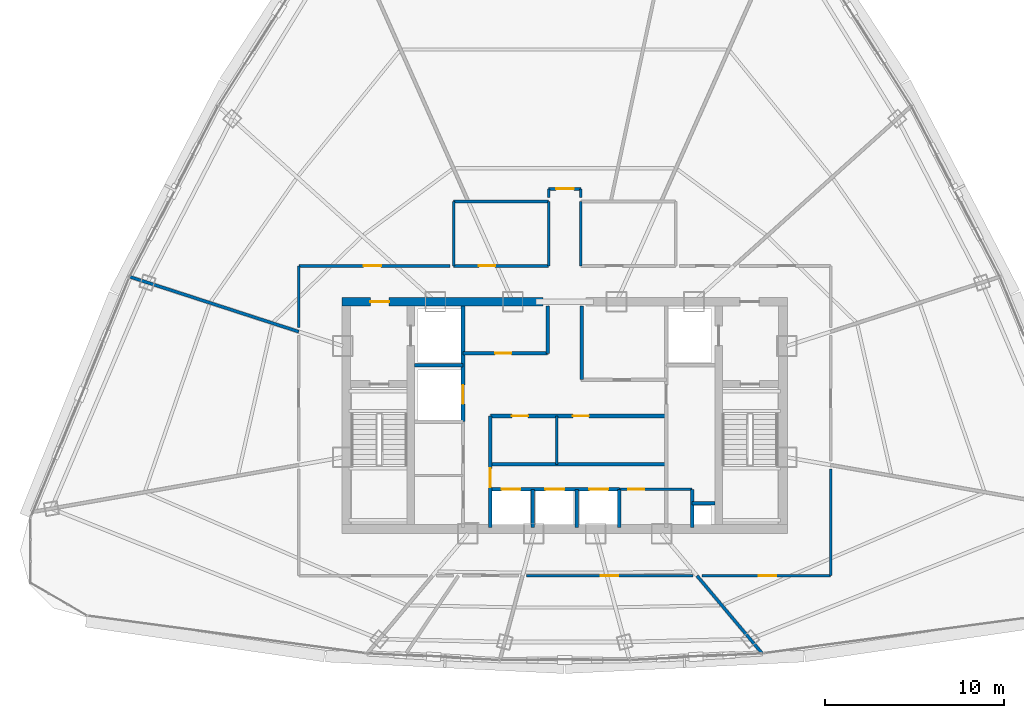
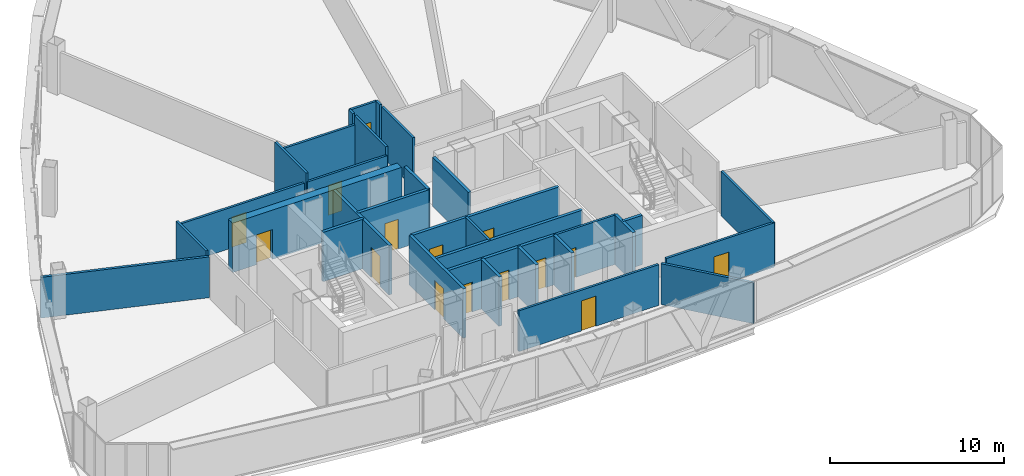
# One storey, part 29 of 33: 32 walls, 15 doors, 15 openings.
"""IFC4 building model written with IfcOpenShell, lengths in metres."""

from ifc_helpers import new_model, si_unit, direction, frame, frame_2d, origin, origin_with_axes, place, context, subcontext, project, spatial, rectangle, extrude, source, transform, mapped, material, layer, layer_set, type_object, element, fill, save


model = new_model("IFC4")

# Units and contexts
model_context = context("Model", 3, precision=1e-05, world=origin(), true_north=direction((0.0, 1.0)))
body_context = subcontext(model_context, "Body", "Model", "MODEL_VIEW")
ifc_project = project(units=[si_unit("LENGTHUNIT", "METRE"), si_unit("AREAUNIT", "SQUARE_METRE"), si_unit("VOLUMEUNIT", "CUBIC_METRE"), si_unit("PLANEANGLEUNIT", "RADIAN"), si_unit("MASSUNIT", "GRAM", prefix="KILO"), si_unit("THERMODYNAMICTEMPERATUREUNIT", "KELVIN"), si_unit("POWERUNIT", "WATT")], contexts=[model_context])

# Site, building, storey
site_placement = place(None, origin())
site = spatial("IfcSite", under=ifc_project, at=site_placement, CompositionType="ELEMENT")
building_placement = place(site_placement, origin())
building = spatial("IfcBuilding", under=site, at=building_placement, Name="Yunzhuo Pagoda Commons", CompositionType="ELEMENT")
storey_placement = place(building_placement, frame((0.0, 0.0, 311.1298828125)))
storey = spatial("IfcBuildingStorey", under=building, at=storey_placement, Name="L78", CompositionType="ELEMENT", Elevation=311.1298828125)

# Wall, opening, door
ifc_material_1 = material(Name="Concrete C50", Category="concrete")
ifc_layer_1 = layer(ifc_material_1, 0.5)
ifc_layer_set_1 = layer_set([ifc_layer_1], Name="Concrete C50")
wall_type_1 = type_object("IfcWallType", Name="W-C03 Upper Core Shear Wall 500", PredefinedType="SHEAR", material=ifc_layer_set_1)
wall_1_placement = place(storey_placement, frame((35.550048828125, 40.199951171875, 0.0), z_axis=(0.0, 0.0, 1.0), x_axis=(1.0, 0.0, 0.0)))
wall_1 = element("IfcWall", 1, at=wall_1_placement, inside=storey, type_object=wall_type_1, Name="L78 core shear wall NW", PredefinedType="SHEAR", context=body_context, shape_type="SweptSolid", body=[
    extrude(rectangle(XDim=11.25, YDim=0.5, at=frame_2d((5.625, 0.0))), origin(), (0.0, 0.0, 1.0), 3.47021484375),
])
opening_1_placement = place(wall_1_placement, frame((1.60009765625, 0.0, 0.0)))
opening_1 = element("IfcOpeningElement", 2, at=opening_1_placement, cuts=wall_1, Name="Opening D-02", PredefinedType="OPENING", context=body_context, shape_type="SweptSolid", body=[
    extrude(rectangle(XDim=1.050048828125, YDim=2.10009765625, at=frame_2d((0.52490234375, 1.050048828125))), frame((0.0, 0.260009765625, 0.0), z_axis=(0.0, -1.0, 0.0), x_axis=(1.0, 0.0, 0.0)), (0.0, 0.0, 1.0), 0.52001953125),
])
ifc_material_2 = material(Name="Galvanized fire-resisting metal leaf")
door_type_1 = type_object("IfcDoorType", Name="D-02 Firefighting Lobby & Refuge Fire Door 1050x2100", OperationType="NOTDEFINED", PredefinedType="DOOR", material=ifc_material_2)
shared_shape_1 = source(origin(), body_context, "Body", "SweptSolid", [
    extrude(rectangle(XDim=1.050048828125, YDim=2.10009765625, at=frame_2d((0.52490234375, 1.050048828125))), frame((0.0, 0.02490234375, 0.0), z_axis=(0.0, -1.0, 0.0), x_axis=(1.0, 0.0, 0.0)), (0.0, 0.0, 1.0), 0.050048828125),
])
door_1_placement = place(opening_1_placement, frame((1.050048828125, 0.0, 0.0), z_axis=(0.0, 0.0, 1.0), x_axis=(-1.0, 0.0, 0.0)))
door_1 = element("IfcDoor", 3, at=door_1_placement, inside=storey, type_object=door_type_1, Name="L78 Firefighting Lobby 1 fire door", OperationType="SINGLE_SWING_LEFT", OverallHeight=2.10009765625, OverallWidth=1.050048828125, PredefinedType="DOOR", context=body_context, shape_type="MappedRepresentation", body=[
    mapped(shared_shape_1, transform((0.0, 0.0, 0.0), scale=1.0)),
])
fill(opening_1, door_1)

# Wall
ifc_material_3 = material(Name="Gypsum plasterboard on acoustic stud")
ifc_layer_2 = layer(ifc_material_3, 0.14990234375)
ifc_layer_set_2 = layer_set([ifc_layer_2], Name="Gypsum plasterboard on acoustic stud")
wall_type_2 = type_object("IfcWallType", Name="W-COR3 High-Zone Rated Corridor Wall 150", PredefinedType="PARTITIONING", material=ifc_layer_set_2)
wall_2_placement = place(storey_placement, frame((47.550048828125, 31.1201171875, 0.0), z_axis=(0.0, 0.0, 1.0), x_axis=(0.0, 1.0, 0.0)))
element("IfcWall", 4, at=wall_2_placement, inside=storey, type_object=wall_type_2, Name="L78 interior wall IW-L78-FRMD", PredefinedType="PARTITIONING", context=body_context, shape_type="SweptSolid", body=[
    extrude(rectangle(XDim=2.699951171875, YDim=0.14990234375, at=frame_2d((1.35009765625, 0.0))), origin(), (0.0, 0.0, 1.0), 3.47021484375),
])

# Wall, opening, door
wall_3_placement = place(storey_placement, frame((51.050048828125, 29.719970703125, 0.0), z_axis=(0.0, 0.0, 1.0), x_axis=(1.0, 0.0, 0.0)))
wall_3 = element("IfcWall", 5, at=wall_3_placement, inside=storey, type_object=wall_type_2, Name="L78 interior wall IW-L78-CSES", PredefinedType="PARTITIONING", context=body_context, shape_type="SweptSolid", body=[
    extrude(rectangle(XDim=4.070068359375, YDim=0.14990234375, at=frame_2d((2.03515625, 0.0))), origin(), (0.0, 0.0, 1.0), 3.47021484375),
])
opening_2_placement = place(wall_3_placement, frame((0.5, 0.0, 0.0)))
opening_2 = element("IfcOpeningElement", 6, at=opening_2_placement, cuts=wall_3, Name="Opening D-03", PredefinedType="OPENING", context=body_context, shape_type="SweptSolid", body=[
    extrude(rectangle(XDim=0.89990234375, YDim=2.10009765625, at=frame_2d((0.449951171875, 1.050048828125))), frame((0.0, 0.0849609375, 0.0), z_axis=(0.0, -1.0, 0.0), x_axis=(1.0, 0.0, 0.0)), (0.0, 0.0, 1.0), 0.169921875),
])
door_type_2 = type_object("IfcDoorType", Name="D-03 Core Service Fire Door 900x2100", OperationType="NOTDEFINED", PredefinedType="DOOR", material=ifc_material_2)
shared_shape_2 = source(origin(), body_context, "Body", "SweptSolid", [
    extrude(rectangle(XDim=0.89990234375, YDim=2.10009765625, at=frame_2d((0.449951171875, 1.050048828125))), frame((0.0, 0.02490234375, 0.0), z_axis=(0.0, -1.0, 0.0), x_axis=(1.0, 0.0, 0.0)), (0.0, 0.0, 1.0), 0.050048828125),
])
door_2_placement = place(opening_2_placement, origin_with_axes())
door_2 = element("IfcDoor", 7, at=door_2_placement, inside=storey, type_object=door_type_2, Name="L78 IT closet door", OperationType="SINGLE_SWING_LEFT", OverallHeight=2.10009765625, OverallWidth=0.89990234375, PredefinedType="DOOR", context=body_context, shape_type="MappedRepresentation", body=[
    mapped(shared_shape_2, transform((0.0, 0.0, 0.0), scale=1.0)),
])
fill(opening_2, door_2)

wall_4_placement = place(storey_placement, frame((41.800048828125, 42.199951171875, 0.0), z_axis=(0.0, 0.0, 1.0), x_axis=(1.0, 0.0, 0.0)))
wall_4 = element("IfcWall", 8, at=wall_4_placement, inside=storey, type_object=wall_type_2, Name="L78 interior wall IW-L78-TFWS", PredefinedType="PARTITIONING", context=body_context, shape_type="SweptSolid", body=[
    extrude(rectangle(XDim=5.300048828125, YDim=0.14990234375, at=frame_2d((2.64990234375, 0.0))), origin(), (0.0, 0.0, 1.0), 2.8701171875),
])
opening_3_placement = place(wall_4_placement, frame((1.39990234375, 0.0, 0.0)))
opening_3 = element("IfcOpeningElement", 9, at=opening_3_placement, cuts=wall_4, Name="Opening D-04", PredefinedType="OPENING", context=body_context, shape_type="SweptSolid", body=[
    extrude(rectangle(XDim=0.919921875, YDim=2.10009765625, at=frame_2d((0.4599609375, 1.050048828125))), frame((0.0, 0.0849609375, 0.0), z_axis=(0.0, -1.0, 0.0), x_axis=(1.0, 0.0, 0.0)), (0.0, 0.0, 1.0), 0.169921875),
])
ifc_material_4 = material(Name="Powder-coated aluminium and timber acoustic leaf", Category="wood")
door_type_3 = type_object("IfcDoorType", Name="D-04 Bedroom & Study Interior Door 920x2100", OperationType="NOTDEFINED", PredefinedType="DOOR", material=ifc_material_4)
shared_shape_3 = source(origin(), body_context, "Body", "SweptSolid", [
    extrude(rectangle(XDim=0.919921875, YDim=2.10009765625, at=frame_2d((0.4599609375, 1.050048828125))), frame((0.0, 0.02490234375, 0.0), z_axis=(0.0, -1.0, 0.0), x_axis=(1.0, 0.0, 0.0)), (0.0, 0.0, 1.0), 0.050048828125),
])
door_3_placement = place(opening_3_placement, frame((0.919921875, 0.0, 0.0), z_axis=(0.0, 0.0, 1.0), x_axis=(-1.0, 0.0, 0.0)))
door_3 = element("IfcDoor", 10, at=door_3_placement, inside=storey, type_object=door_type_3, Name="L78 laundry door", OperationType="SINGLE_SWING_LEFT", OverallHeight=2.10009765625, OverallWidth=0.919921875, PredefinedType="DOOR", context=body_context, shape_type="MappedRepresentation", body=[
    mapped(shared_shape_3, transform((0.0, 0.0, 0.0), scale=1.0)),
])
fill(opening_3, door_3)

# Walls
wall_5_placement = place(storey_placement, frame((41.800048828125, 45.800048828125, 0.0), z_axis=(0.0, 0.0, 1.0), x_axis=(1.0, 0.0, 0.0)))
element("IfcWall", 11, at=wall_5_placement, inside=storey, type_object=wall_type_2, Name="L78 interior wall IW-L78-TFWN", PredefinedType="PARTITIONING", context=body_context, shape_type="SweptSolid", body=[
    extrude(rectangle(XDim=5.300048828125, YDim=0.14990234375, at=frame_2d((2.64990234375, 0.0))), origin(), (0.0, 0.0, 1.0), 2.8701171875),
])
for number, where, z_axis, x_axis, name in (
    (12, (41.800048828125, 42.199951171875, 0.0), (0.0, 0.0, 1.0), (0.0, 1.0, 0.0), "L78 interior wall IW-L78-TFWW"),
    (13, (47.10009765625, 42.199951171875, 0.0), (0.0, 0.0, 1.0), (0.0, 1.0, 0.0), "L78 interior wall IW-L78-TFWE"),
    (14, (48.89990234375, 42.199951171875, 0.0), (0.0, 0.0, 1.0), (0.0, 1.0, 0.0), "L78 interior wall IW-L78-TFEW"),
):
    element("IfcWall", number, at=place(storey_placement, frame(where, z_axis=z_axis, x_axis=x_axis)), inside=storey, type_object=wall_type_2, Name=name, PredefinedType="PARTITIONING", context=body_context, shape_type="SweptSolid", body=[
        extrude(rectangle(XDim=3.60009765625, YDim=0.14990234375, at=frame_2d((1.800048828125, 0.0))), origin(), (0.0, 0.0, 1.0), 3.47021484375),
    ])
wall_6_placement = place(storey_placement, frame((33.14990234375, 38.75634765625, 0.0), z_axis=(0.0, 0.0, 1.0), x_axis=(0.0, 1.0, 0.0)))
element("IfcWall", 15, at=wall_6_placement, inside=storey, type_object=wall_type_2, Name="L78 interior wall IW-L78-CWL03", PredefinedType="PARTITIONING", context=body_context, shape_type="SweptSolid", body=[
    extrude(rectangle(XDim=3.443603515625, YDim=0.14990234375, at=frame_2d((1.7216796875, 0.0))), origin(), (0.0, 0.0, 1.0), 3.1201171875),
])

# Wall, opening, door
wall_7_placement = place(storey_placement, frame((33.14990234375, 42.199951171875, 0.0), z_axis=(0.0, 0.0, 1.0), x_axis=(1.0, 0.0, 0.0)))
wall_7 = element("IfcWall", 16, at=wall_7_placement, inside=storey, type_object=wall_type_2, Name="L78 interior wall IW-L78-CWL04", PredefinedType="PARTITIONING", context=body_context, shape_type="SweptSolid", body=[
    extrude(rectangle(XDim=8.43017578125, YDim=0.14990234375, at=frame_2d((4.215087890625, 0.0))), origin(), (0.0, 0.0, 1.0), 2.8701171875),
])
opening_4_placement = place(wall_7_placement, frame((3.6201171875, 0.0, 0.0)))
opening_4 = element("IfcOpeningElement", 17, at=opening_4_placement, cuts=wall_7, Name="Opening D-08", PredefinedType="OPENING", context=body_context, shape_type="SweptSolid", body=[
    extrude(rectangle(XDim=0.97998046875, YDim=2.1201171875, at=frame_2d((0.489990234375, 1.06005859375))), frame((0.0, 0.0849609375, 0.0), z_axis=(0.0, -1.0, 0.0), x_axis=(1.0, 0.0, 0.0)), (0.0, 0.0, 1.0), 0.169921875),
])
door_type_4 = type_object("IfcDoorType", Name="D-08 High-Zone Suite Entrance Fire Door 980x2120", OperationType="NOTDEFINED", PredefinedType="DOOR", material=ifc_material_2)
shared_shape_4 = source(origin(), body_context, "Body", "SweptSolid", [
    extrude(rectangle(XDim=0.97998046875, YDim=2.1201171875, at=frame_2d((0.489990234375, 1.06005859375))), frame((0.0, 0.02490234375, 0.0), z_axis=(0.0, -1.0, 0.0), x_axis=(1.0, 0.0, 0.0)), (0.0, 0.0, 1.0), 0.050048828125),
])
door_4_placement = place(opening_4_placement, origin_with_axes())
door_4 = element("IfcDoor", 18, at=door_4_placement, inside=storey, type_object=door_type_4, Name="L78 Shared Resident Kitchen and Pantry door", OperationType="SINGLE_SWING_LEFT", OverallHeight=2.1201171875, OverallWidth=0.97998046875, PredefinedType="DOOR", context=body_context, shape_type="MappedRepresentation", body=[
    mapped(shared_shape_4, transform((0.0, 0.0, 0.0), scale=1.0)),
])
fill(opening_4, door_4)

# Wall
wall_8_placement = place(storey_placement, frame((47.10009765625, 46.02001953125, 0.0), z_axis=(0.0, 0.0, 1.0), x_axis=(0.0, 1.0, 0.0)))
element("IfcWall", 19, at=wall_8_placement, inside=storey, type_object=wall_type_2, Name="L78 interior wall IW-L78-CWL05", PredefinedType="PARTITIONING", context=body_context, shape_type="SweptSolid", body=[
    extrude(rectangle(XDim=0.47998046875, YDim=0.14990234375, at=frame_2d((0.239990234375, 0.0))), origin(), (0.0, 0.0, 1.0), 3.47021484375),
])

# Wall, opening, door
wall_9_placement = place(storey_placement, frame((47.10009765625, 46.5, 0.0), z_axis=(0.0, 0.0, 1.0), x_axis=(1.0, 0.0, 0.0)))
wall_9 = element("IfcWall", 20, at=wall_9_placement, inside=storey, type_object=wall_type_2, Name="L78 interior wall IW-L78-CWL06", PredefinedType="PARTITIONING", context=body_context, shape_type="SweptSolid", body=[
    extrude(rectangle(XDim=1.7998046875, YDim=0.14990234375, at=frame_2d((0.89990234375, 0.0))), origin(), (0.0, 0.0, 1.0), 3.47021484375),
])
opening_5_placement = place(wall_9_placement, frame((0.425048828125, 0.0, 0.0)))
opening_5 = element("IfcOpeningElement", 21, at=opening_5_placement, cuts=wall_9, Name="Opening D-08", PredefinedType="OPENING", context=body_context, shape_type="SweptSolid", body=[
    extrude(rectangle(XDim=0.97998046875, YDim=2.1201171875, at=frame_2d((0.489990234375, 1.06005859375))), frame((0.0, 0.0849609375, 0.0), z_axis=(0.0, -1.0, 0.0), x_axis=(1.0, 0.0, 0.0)), (0.0, 0.0, 1.0), 0.169921875),
])
door_5_placement = place(opening_5_placement, origin_with_axes())
door_5 = element("IfcDoor", 22, at=door_5_placement, inside=storey, type_object=door_type_4, Name="L78 unit 05 entrance door", OperationType="SINGLE_SWING_RIGHT", OverallHeight=2.1201171875, OverallWidth=0.97998046875, PredefinedType="DOOR", context=body_context, shape_type="MappedRepresentation", body=[
    mapped(shared_shape_4, transform((0.0, 0.0, 0.0), scale=1.0)),
])
fill(opening_5, door_5)

# Walls
wall_10_placement = place(storey_placement, frame((48.89990234375, 46.5, 0.0), z_axis=(0.0, 0.0, 1.0), x_axis=(0.0, -1.0, 0.0)))
element("IfcWall", 23, at=wall_10_placement, inside=storey, type_object=wall_type_2, Name="L78 interior wall IW-L78-CWL07", PredefinedType="PARTITIONING", context=body_context, shape_type="SweptSolid", body=[
    extrude(rectangle(XDim=0.47998046875, YDim=0.14990234375, at=frame_2d((0.239990234375, 0.0))), origin(), (0.0, 0.0, 1.0), 3.47021484375),
])
wall_11_placement = place(storey_placement, frame((62.85009765625, 30.858154296875, 0.0), z_axis=(0.0, 0.0, 1.0), x_axis=(0.0, -1.0, 0.0)))
element("IfcWall", 24, at=wall_11_placement, inside=storey, type_object=wall_type_2, Name="L78 interior wall IW-L78-CWL12", PredefinedType="PARTITIONING", context=body_context, shape_type="SweptSolid", body=[
    extrude(rectangle(XDim=5.958251953125, YDim=0.14990234375, at=frame_2d((2.97900390625, 0.0))), origin(), (0.0, 0.0, 1.0), 3.1201171875),
])

# Wall, opening, door
wall_12_placement = place(storey_placement, frame((62.85009765625, 24.89990234375, 0.0), z_axis=(0.0, 0.0, 1.0), x_axis=(-1.0, 0.0, 0.0)))
wall_12 = element("IfcWall", 25, at=wall_12_placement, inside=storey, type_object=wall_type_2, Name="L78 interior wall IW-L78-CWL13", PredefinedType="PARTITIONING", context=body_context, shape_type="SweptSolid", body=[
    extrude(rectangle(XDim=7.1787109375, YDim=0.14990234375, at=frame_2d((3.58935546875, 0.0))), origin(), (0.0, 0.0, 1.0), 3.1201171875),
])
opening_6_placement = place(wall_12_placement, frame((3.028076171875, 0.0, 0.0)))
opening_6 = element("IfcOpeningElement", 26, at=opening_6_placement, cuts=wall_12, Name="Opening D-08", PredefinedType="OPENING", context=body_context, shape_type="SweptSolid", body=[
    extrude(rectangle(XDim=0.97998046875, YDim=2.1201171875, at=frame_2d((0.489990234375, 1.06005859375))), frame((0.0, 0.0849609375, 0.0), z_axis=(0.0, -1.0, 0.0), x_axis=(1.0, 0.0, 0.0)), (0.0, 0.0, 1.0), 0.169921875),
])
door_6_placement = place(opening_6_placement, origin_with_axes())
door_6 = element("IfcDoor", 27, at=door_6_placement, inside=storey, type_object=door_type_4, Name="L78 unit 12 entrance door", OperationType="SINGLE_SWING_LEFT", OverallHeight=2.1201171875, OverallWidth=0.97998046875, PredefinedType="DOOR", context=body_context, shape_type="MappedRepresentation", body=[
    mapped(shared_shape_4, transform((0.0, 0.0, 0.0), scale=1.0)),
])
fill(opening_6, door_6)

wall_13_placement = place(storey_placement, frame((55.164306640625, 24.89990234375, 0.0), z_axis=(0.0, 0.0, 1.0), x_axis=(-1.0, 0.0, 0.0)))
wall_13 = element("IfcWall", 28, at=wall_13_placement, inside=storey, type_object=wall_type_2, Name="L78 interior wall IW-L78-CWL14", PredefinedType="PARTITIONING", context=body_context, shape_type="SweptSolid", body=[
    extrude(rectangle(XDim=9.302490234375, YDim=0.14990234375, at=frame_2d((4.6513671875, 0.0))), origin(), (0.0, 0.0, 1.0), 2.8701171875),
])
opening_7_placement = place(wall_13_placement, frame((4.17626953125, 0.0, 0.0)))
opening_7 = element("IfcOpeningElement", 29, at=opening_7_placement, cuts=wall_13, Name="Opening D-08", PredefinedType="OPENING", context=body_context, shape_type="SweptSolid", body=[
    extrude(rectangle(XDim=0.97998046875, YDim=2.1201171875, at=frame_2d((0.489990234375, 1.06005859375))), frame((0.0, 0.0849609375, 0.0), z_axis=(0.0, -1.0, 0.0), x_axis=(1.0, 0.0, 0.0)), (0.0, 0.0, 1.0), 0.169921875),
])
door_7_placement = place(opening_7_placement, origin_with_axes())
door_7 = element("IfcDoor", 30, at=door_7_placement, inside=storey, type_object=door_type_4, Name="L78 Resident Co-Living Commons Hall door", OperationType="SINGLE_SWING_RIGHT", OverallHeight=2.1201171875, OverallWidth=0.97998046875, PredefinedType="DOOR", context=body_context, shape_type="MappedRepresentation", body=[
    mapped(shared_shape_4, transform((0.0, 0.0, 0.0), scale=1.0)),
])
fill(opening_7, door_7)

# Walls
ifc_layer_3 = layer(ifc_material_3, 0.169921875)
ifc_layer_set_3 = layer_set([ifc_layer_3], Name="Gypsum plasterboard on acoustic stud")
wall_type_3 = type_object("IfcWallType", Name="W-PRT4 High-Zone Demising Wall 170", PredefinedType="PARTITIONING", material=ifc_layer_set_3)
wall_14_placement = place(storey_placement, frame((33.14990234375, 38.525146484375, 0.0), z_axis=(0.0, 0.0, 1.0), x_axis=(-0.951056273407, 0.309017741906, 0.0)))
element("IfcWall", 31, at=wall_14_placement, inside=storey, type_object=wall_type_3, Name="L78 interior wall IW-L78-RAD06", PredefinedType="PARTITIONING", context=body_context, shape_type="SweptSolid", body=[
    extrude(rectangle(XDim=9.937255859375, YDim=0.169921875, at=frame_2d((4.96875, 0.0))), origin(), (0.0, 0.0, 1.0), 2.8701171875),
])
wall_15_placement = place(storey_placement, frame((55.384033203125, 24.89990234375, 0.0), z_axis=(0.0, 0.0, 1.0), x_axis=(0.642790029712, -0.76604241247, 0.0)))
element("IfcWall", 32, at=wall_15_placement, inside=storey, type_object=wall_type_3, Name="L78 interior wall IW-L78-RAD11", PredefinedType="PARTITIONING", context=body_context, shape_type="SweptSolid", body=[
    extrude(rectangle(XDim=5.669189453125, YDim=0.169921875, at=frame_2d((2.83447265625, 0.0))), origin(), (0.0, 0.0, 1.0), 2.8701171875),
])

# Wall, opening, door
ifc_material_5 = material(Name="Concrete C40", Category="concrete")
ifc_layer_4 = layer(ifc_material_5, 0.199951171875)
ifc_layer_set_4 = layer_set([ifc_layer_4], Name="Concrete C40")
wall_type_4 = type_object("IfcWallType", Name="W-SHF Shaft & Stair Enclosure Wall 200", PredefinedType="SOLIDWALL", material=ifc_layer_set_4)
wall_16_placement = place(storey_placement, frame((42.320068359375, 33.5, 0.0), z_axis=(0.0, 0.0, 1.0), x_axis=(0.0, 1.0, 0.0)))
wall_16 = element("IfcWall", 33, at=wall_16_placement, inside=storey, type_object=wall_type_4, Name="L78 interior wall IW-L78-FL1E", PredefinedType="SOLIDWALL", context=body_context, shape_type="SweptSolid", body=[
    extrude(rectangle(XDim=6.449951171875, YDim=0.199951171875, at=frame_2d((3.22509765625, 0.0))), origin(), (0.0, 0.0, 1.0), 3.47021484375),
])
opening_8_placement = place(wall_16_placement, frame((1.0, 0.0, 0.0)))
opening_8 = element("IfcOpeningElement", 34, at=opening_8_placement, cuts=wall_16, Name="Opening LD-02", PredefinedType="OPENING", context=body_context, shape_type="SweptSolid", body=[
    extrude(rectangle(XDim=1.050048828125, YDim=2.10009765625, at=frame_2d((0.52490234375, 1.050048828125))), frame((0.0, 0.10986328125, 0.0), z_axis=(0.0, -1.0, 0.0), x_axis=(1.0, 0.0, 0.0)), (0.0, 0.0, 1.0), 0.219970703125),
])
door_type_5 = type_object("IfcDoorType", Name="LD-02 Passenger Lift Landing Door 1050x2100", OperationType="DOUBLE_DOOR_SLIDING", PredefinedType="DOOR", material=ifc_material_2)
door_8_placement = place(opening_8_placement, origin_with_axes())
door_8 = element("IfcDoor", 35, at=door_8_placement, inside=storey, type_object=door_type_5, Name="L78 Service lift SL-1 landing door", OperationType="DOUBLE_DOOR_SLIDING", OverallHeight=2.10009765625, OverallWidth=1.050048828125, PredefinedType="DOOR", context=body_context, shape_type="MappedRepresentation", body=[
    mapped(shared_shape_1, transform((0.0, 0.0, 0.0), scale=1.0)),
])
fill(opening_8, door_8)

# Wall
wall_17_placement = place(storey_placement, frame((39.60009765625, 36.64990234375, 0.0), z_axis=(0.0, 0.0, 1.0), x_axis=(1.0, 0.0, 0.0)))
element("IfcWall", 36, at=wall_17_placement, inside=storey, type_object=wall_type_4, Name="L78 interior wall IW-L78-FL1S", PredefinedType="SOLIDWALL", context=body_context, shape_type="SweptSolid", body=[
    extrude(rectangle(XDim=2.719970703125, YDim=0.199951171875, at=frame_2d((1.35986328125, 0.0))), origin(), (0.0, 0.0, 1.0), 3.47021484375),
])

# Wall, opening, door
wall_18_placement = place(storey_placement, frame((42.320068359375, 37.320068359375, 0.0), z_axis=(0.0, 0.0, 1.0), x_axis=(1.0, 0.0, 0.0)))
wall_18 = element("IfcWall", 37, at=wall_18_placement, inside=storey, type_object=wall_type_4, Name="L78 interior wall IW-L78-LBNW", PredefinedType="SOLIDWALL", context=body_context, shape_type="SweptSolid", body=[
    extrude(rectangle(XDim=4.72998046875, YDim=0.199951171875, at=frame_2d((2.364990234375, 0.0))), origin(), (0.0, 0.0, 1.0), 3.47021484375),
])
opening_9_placement = place(wall_18_placement, frame((1.800048828125, 0.0, 0.0)))
opening_9 = element("IfcOpeningElement", 38, at=opening_9_placement, cuts=wall_18, Name="Opening D-03", PredefinedType="OPENING", context=body_context, shape_type="SweptSolid", body=[
    extrude(rectangle(XDim=0.89990234375, YDim=2.10009765625, at=frame_2d((0.449951171875, 1.050048828125))), frame((0.0, 0.10986328125, 0.0), z_axis=(0.0, -1.0, 0.0), x_axis=(1.0, 0.0, 0.0)), (0.0, 0.0, 1.0), 0.219970703125),
])
door_9_placement = place(opening_9_placement, frame((0.89990234375, 0.0, 0.0), z_axis=(0.0, 0.0, 1.0), x_axis=(-1.0, 0.0, 0.0)))
door_9 = element("IfcDoor", 39, at=door_9_placement, inside=storey, type_object=door_type_2, Name="L78 core west store door", OperationType="SINGLE_SWING_LEFT", OverallHeight=2.10009765625, OverallWidth=0.89990234375, PredefinedType="DOOR", context=body_context, shape_type="MappedRepresentation", body=[
    mapped(shared_shape_2, transform((0.0, 0.0, 0.0), scale=1.0)),
])
fill(opening_9, door_9)

# Walls
wall_19_placement = place(storey_placement, frame((47.050048828125, 37.320068359375, 0.0), z_axis=(0.0, 0.0, 1.0), x_axis=(0.0, 1.0, 0.0)))
element("IfcWall", 40, at=wall_19_placement, inside=storey, type_object=wall_type_4, Name="L78 interior wall IW-L78-THRW", PredefinedType="SOLIDWALL", context=body_context, shape_type="SweptSolid", body=[
    extrude(rectangle(XDim=2.6298828125, YDim=0.199951171875, at=frame_2d((1.31494140625, 0.0))), origin(), (0.0, 0.0, 1.0), 3.47021484375),
])
wall_20_placement = place(storey_placement, frame((48.949951171875, 35.85009765625, 0.0), z_axis=(0.0, 0.0, 1.0), x_axis=(0.0, 1.0, 0.0)))
element("IfcWall", 41, at=wall_20_placement, inside=storey, type_object=wall_type_4, Name="L78 interior wall IW-L78-THRE", PredefinedType="SOLIDWALL", context=body_context, shape_type="SweptSolid", body=[
    extrude(rectangle(XDim=4.099853515625, YDim=0.199951171875, at=frame_2d((2.0498046875, 0.0))), origin(), (0.0, 0.0, 1.0), 3.47021484375),
])

# Wall, openings, doors
wall_21_placement = place(storey_placement, frame((43.85009765625, 33.820068359375, 0.0), z_axis=(0.0, 0.0, 1.0), x_axis=(1.0, 0.0, 0.0)))
wall_21 = element("IfcWall", 42, at=wall_21_placement, inside=storey, type_object=wall_type_4, Name="L78 interior wall IW-L78-MLBS", PredefinedType="SOLIDWALL", context=body_context, shape_type="SweptSolid", body=[
    extrude(rectangle(XDim=9.829833984375, YDim=0.199951171875, at=frame_2d((4.9150390625, 0.0))), origin(), (0.0, 0.0, 1.0), 3.47021484375),
])
opening_10_placement = place(wall_21_placement, frame((1.199951171875, 0.0, 0.0)))
opening_10 = element("IfcOpeningElement", 43, at=opening_10_placement, cuts=wall_21, Name="Opening D-03", PredefinedType="OPENING", context=body_context, shape_type="SweptSolid", body=[
    extrude(rectangle(XDim=0.89990234375, YDim=2.10009765625, at=frame_2d((0.449951171875, 1.050048828125))), frame((0.0, 0.10986328125, 0.0), z_axis=(0.0, -1.0, 0.0), x_axis=(1.0, 0.0, 0.0)), (0.0, 0.0, 1.0), 0.219970703125),
])
opening_11_placement = place(wall_21_placement, frame((4.60009765625, 0.0, 0.0)))
opening_11 = element("IfcOpeningElement", 44, at=opening_11_placement, cuts=wall_21, Name="Opening D-03", PredefinedType="OPENING", context=body_context, shape_type="SweptSolid", body=[
    extrude(rectangle(XDim=0.89990234375, YDim=2.10009765625, at=frame_2d((0.449951171875, 1.050048828125))), frame((0.0, 0.10986328125, 0.0), z_axis=(0.0, -1.0, 0.0), x_axis=(1.0, 0.0, 0.0)), (0.0, 0.0, 1.0), 0.219970703125),
])
door_10_placement = place(opening_10_placement, origin_with_axes())
door_10 = element("IfcDoor", 45, at=door_10_placement, inside=storey, type_object=door_type_2, Name="L78 core mid-west store door", OperationType="SINGLE_SWING_LEFT", OverallHeight=2.10009765625, OverallWidth=0.89990234375, PredefinedType="DOOR", context=body_context, shape_type="MappedRepresentation", body=[
    mapped(shared_shape_2, transform((0.0, 0.0, 0.0), scale=1.0)),
])
fill(opening_10, door_10)
door_11_placement = place(opening_11_placement, origin_with_axes())
door_11 = element("IfcDoor", 46, at=door_11_placement, inside=storey, type_object=door_type_2, Name="L78 core mid-east store door", OperationType="SINGLE_SWING_RIGHT", OverallHeight=2.10009765625, OverallWidth=0.89990234375, PredefinedType="DOOR", context=body_context, shape_type="MappedRepresentation", body=[
    mapped(shared_shape_2, transform((0.0, 0.0, 0.0), scale=1.0)),
])
fill(opening_11, door_11)

# Wall, opening, door
wall_22_placement = place(storey_placement, frame((43.85009765625, 27.60009765625, 0.0), z_axis=(0.0, 0.0, 1.0), x_axis=(0.0, 1.0, 0.0)))
wall_22 = element("IfcWall", 47, at=wall_22_placement, inside=storey, type_object=wall_type_4, Name="L78 interior wall IW-L78-PLMW", PredefinedType="SOLIDWALL", context=body_context, shape_type="SweptSolid", body=[
    extrude(rectangle(XDim=6.219970703125, YDim=0.199951171875, at=frame_2d((3.10986328125, 0.0))), origin(), (0.0, 0.0, 1.0), 3.47021484375),
])
opening_12_placement = place(wall_22_placement, frame((2.25, 0.0, 0.0)))
opening_12 = element("IfcOpeningElement", 48, at=opening_12_placement, cuts=wall_22, Name="Opening D-02", PredefinedType="OPENING", context=body_context, shape_type="SweptSolid", body=[
    extrude(rectangle(XDim=1.050048828125, YDim=2.10009765625, at=frame_2d((0.52490234375, 1.050048828125))), frame((0.0, 0.10986328125, 0.0), z_axis=(0.0, -1.0, 0.0), x_axis=(1.0, 0.0, 0.0)), (0.0, 0.0, 1.0), 0.219970703125),
])
door_12_placement = place(opening_12_placement, frame((1.050048828125, 0.0, 0.0), z_axis=(0.0, 0.0, 1.0), x_axis=(-1.0, 0.0, 0.0)))
door_12 = element("IfcDoor", 49, at=door_12_placement, inside=storey, type_object=door_type_1, Name="L78 High-bank hall west door", OperationType="SINGLE_SWING_LEFT", OverallHeight=2.10009765625, OverallWidth=1.050048828125, PredefinedType="DOOR", context=body_context, shape_type="MappedRepresentation", body=[
    mapped(shared_shape_1, transform((0.0, 0.0, 0.0), scale=1.0)),
])
fill(opening_12, door_12)

# Wall, openings, doors
wall_23_placement = place(storey_placement, frame((43.85009765625, 29.719970703125, 0.0), z_axis=(0.0, 0.0, 1.0), x_axis=(1.0, 0.0, 0.0)))
wall_23 = element("IfcWall", 50, at=wall_23_placement, inside=storey, type_object=wall_type_4, Name="L78 interior wall IW-L78-PLHN", PredefinedType="SOLIDWALL", context=body_context, shape_type="SweptSolid", body=[
    extrude(rectangle(XDim=7.199951171875, YDim=0.199951171875, at=frame_2d((3.60009765625, 0.0))), origin(), (0.0, 0.0, 1.0), 3.47021484375),
])
opening_13_placement = place(wall_23_placement, frame((0.625, 0.0, 0.0)))
opening_13 = element("IfcOpeningElement", 51, at=opening_13_placement, cuts=wall_23, Name="Opening LD-02", PredefinedType="OPENING", context=body_context, shape_type="SweptSolid", body=[
    extrude(rectangle(XDim=1.050048828125, YDim=2.10009765625, at=frame_2d((0.52490234375, 1.050048828125))), frame((0.0, 0.10986328125, 0.0), z_axis=(0.0, -1.0, 0.0), x_axis=(1.0, 0.0, 0.0)), (0.0, 0.0, 1.0), 0.219970703125),
])
opening_14_placement = place(wall_23_placement, frame((3.074951171875, 0.0, 0.0)))
opening_14 = element("IfcOpeningElement", 52, at=opening_14_placement, cuts=wall_23, Name="Opening LD-02", PredefinedType="OPENING", context=body_context, shape_type="SweptSolid", body=[
    extrude(rectangle(XDim=1.050048828125, YDim=2.10009765625, at=frame_2d((0.52490234375, 1.050048828125))), frame((0.0, 0.10986328125, 0.0), z_axis=(0.0, -1.0, 0.0), x_axis=(1.0, 0.0, 0.0)), (0.0, 0.0, 1.0), 0.219970703125),
])
opening_15_placement = place(wall_23_placement, frame((5.52490234375, 0.0, 0.0)))
opening_15 = element("IfcOpeningElement", 53, at=opening_15_placement, cuts=wall_23, Name="Opening LD-02", PredefinedType="OPENING", context=body_context, shape_type="SweptSolid", body=[
    extrude(rectangle(XDim=1.050048828125, YDim=2.10009765625, at=frame_2d((0.52490234375, 1.050048828125))), frame((0.0, 0.10986328125, 0.0), z_axis=(0.0, -1.0, 0.0), x_axis=(1.0, 0.0, 0.0)), (0.0, 0.0, 1.0), 0.219970703125),
])
door_13_placement = place(opening_13_placement, origin_with_axes())
door_13 = element("IfcDoor", 54, at=door_13_placement, inside=storey, type_object=door_type_5, Name="L78 Passenger lift PL-H1 landing door", OperationType="DOUBLE_DOOR_SLIDING", OverallHeight=2.10009765625, OverallWidth=1.050048828125, PredefinedType="DOOR", context=body_context, shape_type="MappedRepresentation", body=[
    mapped(shared_shape_1, transform((0.0, 0.0, 0.0), scale=1.0)),
])
fill(opening_13, door_13)
door_14_placement = place(opening_14_placement, origin_with_axes())
door_14 = element("IfcDoor", 55, at=door_14_placement, inside=storey, type_object=door_type_5, Name="L78 Passenger lift PL-H2 landing door", OperationType="DOUBLE_DOOR_SLIDING", OverallHeight=2.10009765625, OverallWidth=1.050048828125, PredefinedType="DOOR", context=body_context, shape_type="MappedRepresentation", body=[
    mapped(shared_shape_1, transform((0.0, 0.0, 0.0), scale=1.0)),
])
fill(opening_14, door_14)
door_15_placement = place(opening_15_placement, origin_with_axes())
door_15 = element("IfcDoor", 56, at=door_15_placement, inside=storey, type_object=door_type_5, Name="L78 Passenger lift PL-H3 landing door", OperationType="DOUBLE_DOOR_SLIDING", OverallHeight=2.10009765625, OverallWidth=1.050048828125, PredefinedType="DOOR", context=body_context, shape_type="MappedRepresentation", body=[
    mapped(shared_shape_1, transform((0.0, 0.0, 0.0), scale=1.0)),
])
fill(opening_15, door_15)

# Walls
wall_24_placement = place(storey_placement, frame((51.050048828125, 27.60009765625, 0.0), z_axis=(0.0, 0.0, 1.0), x_axis=(0.0, 1.0, 0.0)))
element("IfcWall", 57, at=wall_24_placement, inside=storey, type_object=wall_type_4, Name="L78 interior wall IW-L78-PLHE", PredefinedType="SOLIDWALL", context=body_context, shape_type="SweptSolid", body=[
    extrude(rectangle(XDim=2.119873046875, YDim=0.199951171875, at=frame_2d((1.06005859375, 0.0))), origin(), (0.0, 0.0, 1.0), 3.47021484375),
])
wall_25_placement = place(storey_placement, frame((43.85009765625, 31.1201171875, 0.0), z_axis=(0.0, 0.0, 1.0), x_axis=(1.0, 0.0, 0.0)))
element("IfcWall", 58, at=wall_25_placement, inside=storey, type_object=wall_type_4, Name="L78 interior wall IW-L78-PLMS2", PredefinedType="SOLIDWALL", context=body_context, shape_type="SweptSolid", body=[
    extrude(rectangle(XDim=9.829833984375, YDim=0.199951171875, at=frame_2d((4.9150390625, 0.0))), origin(), (0.0, 0.0, 1.0), 3.47021484375),
])
for number, where, z_axis, x_axis, name in (
    (59, (46.22509765625, 27.60009765625, 0.0), (0.0, 0.0, 1.0), (0.0, 1.0, 0.0), "L78 interior wall IW-L78-PLHD1"),
    (60, (48.675048828125, 27.60009765625, 0.0), (0.0, 0.0, 1.0), (0.0, 1.0, 0.0), "L78 interior wall IW-L78-PLHD2"),
    (61, (55.1201171875, 27.60009765625, 0.0), (0.0, 0.0, 1.0), (0.0, 1.0, 0.0), "L78 interior wall IW-L78-RSHFW"),
):
    element("IfcWall", number, at=place(storey_placement, frame(where, z_axis=z_axis, x_axis=x_axis)), inside=storey, type_object=wall_type_4, Name=name, PredefinedType="SOLIDWALL", context=body_context, shape_type="SweptSolid", body=[
        extrude(rectangle(XDim=2.119873046875, YDim=0.199951171875, at=frame_2d((1.06005859375, 0.0))), origin(), (0.0, 0.0, 1.0), 3.47021484375),
    ])
wall_26_placement = place(storey_placement, frame((55.1201171875, 28.949951171875, 0.0), z_axis=(0.0, 0.0, 1.0), x_axis=(1.0, 0.0, 0.0)))
element("IfcWall", 62, at=wall_26_placement, inside=storey, type_object=wall_type_4, Name="L78 interior wall IW-L78-RSHFN", PredefinedType="SOLIDWALL", context=body_context, shape_type="SweptSolid", body=[
    extrude(rectangle(XDim=1.27978515625, YDim=0.199951171875, at=frame_2d((0.639892578125, 0.0))), origin(), (0.0, 0.0, 1.0), 3.47021484375),
])

save(model, "model.ifc")
